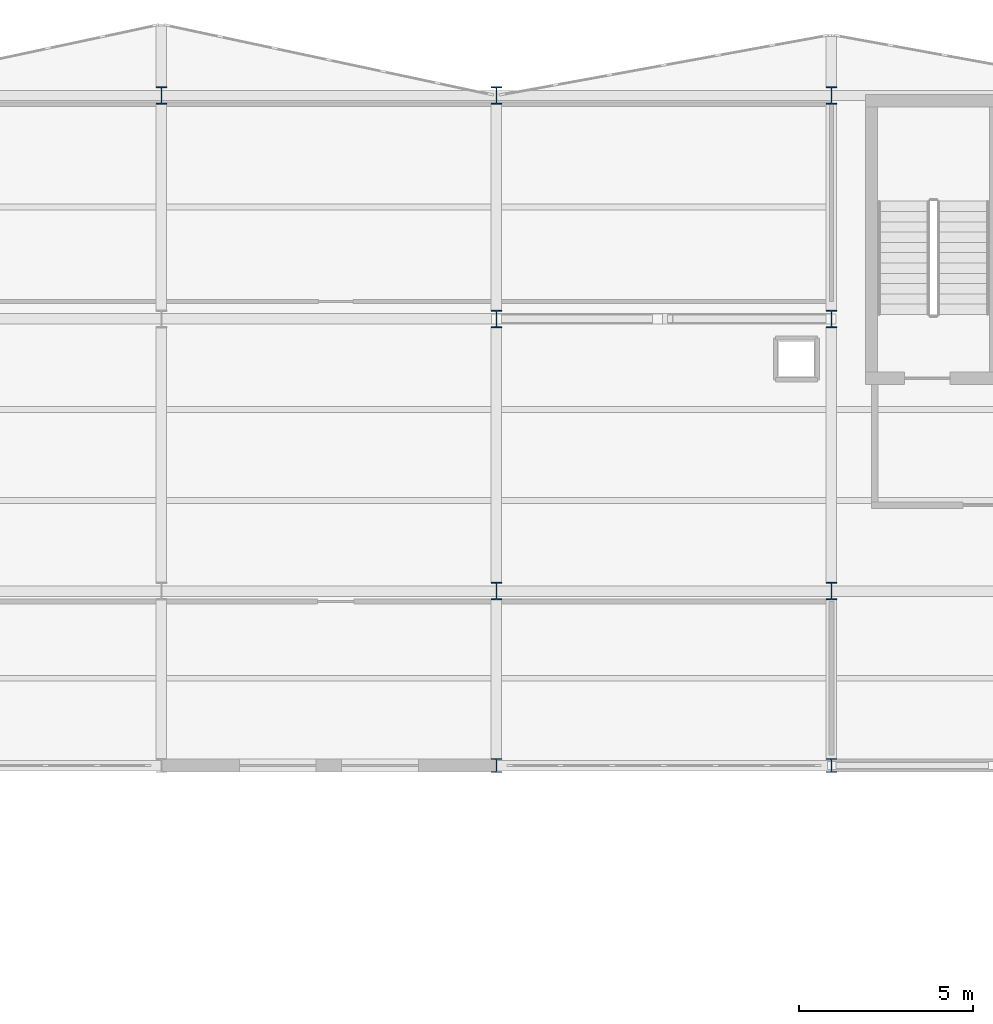
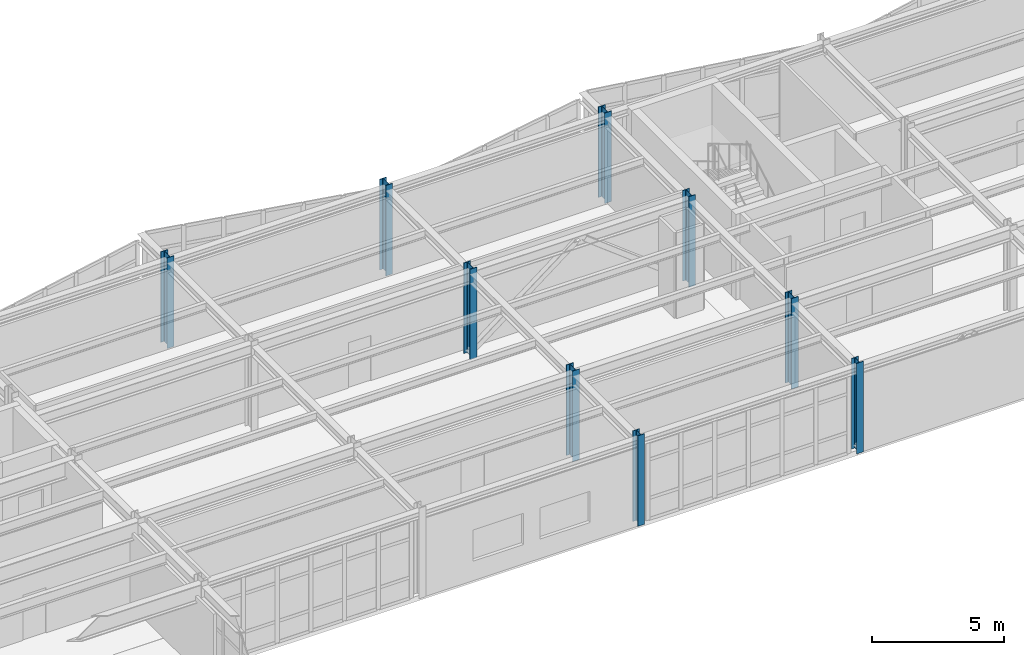
# One storey, part 7 of 88: 9 columns.
"""IFC4 building model written with IfcOpenShell, lengths in metres."""

from ifc_helpers import new_model, si_unit, direction, frame, origin, origin_2d, place, context, subcontext, project, spatial, i_section, extrude, material, material_profile, profile_set, type_object, element, save


model = new_model("IFC4")

# Units and contexts
model_context = context("Model", 3, precision=1e-05, world=origin(), true_north=direction((0.0, 1.0)))
body_context = subcontext(model_context, "Body", "Model", "MODEL_VIEW")
ifc_project = project(units=[si_unit("LENGTHUNIT", "METRE"), si_unit("AREAUNIT", "SQUARE_METRE"), si_unit("VOLUMEUNIT", "CUBIC_METRE"), si_unit("PLANEANGLEUNIT", "RADIAN"), si_unit("MASSUNIT", "GRAM", prefix="KILO")], contexts=[model_context])

# Site, building, storey
site_placement = place(None, origin())
site = spatial("IfcSite", under=ifc_project, at=site_placement, CompositionType="ELEMENT")
building_placement = place(site_placement, origin())
building = spatial("IfcBuilding", under=site, at=building_placement, Name="Nordkorset Police Headquarters", CompositionType="ELEMENT")
storey_placement = place(building_placement, frame((0.0, 0.0, 9.449951171875)))
storey = spatial("IfcBuildingStorey", under=building, at=storey_placement, Name="L02", CompositionType="ELEMENT", Elevation=9.449951171875)

# Columns
ifc_material_1 = material(Name="Steel S355J2", Category="steel")
ifc_material_profile_1 = material_profile(ifc_material_1, i_section(OverallWidth=0.300048828125, OverallDepth=0.39990234375, WebThickness=0.013427734375, FlangeThickness=0.02392578125, FilletRadius=0.027099609375, at=origin_2d()), Name="HEB 400")
ifc_profile_set_1 = profile_set([ifc_material_profile_1], Name="Steel S355J2")
column_type_1 = type_object("IfcColumnType", Name="Col_HEB_400", PredefinedType="COLUMN", material=ifc_profile_set_1)
for number, where, z_axis, x_axis, name in (
    (1, (48.0, 97.60009765625, 0.0), (0.0, 0.0, 1.0), (1.0, 0.0, 0.0), "Structural Column V2_Y0_1 L02"),
    (2, (57.60009765625, 97.60009765625, 0.0), (0.0, 0.0, 1.0), (1.0, 0.0, 0.0), "Structural Column V2_Y0_2 L02"),
):
    element("IfcColumn", number, at=place(storey_placement, frame(where, z_axis=z_axis, x_axis=x_axis)), inside=storey, type_object=column_type_1, Name=name, PredefinedType="COLUMN", context=body_context, shape_type="SweptSolid", body=[
        extrude(i_section(OverallWidth=0.300048828125, OverallDepth=0.39990234375, WebThickness=0.013427734375, FlangeThickness=0.02392578125, FilletRadius=0.027099609375, at=origin_2d()), origin(), (0.0, 0.0, 1.0), 4.199951171875),
    ])
ifc_material_2 = material(Name="Steel S355J2", Category="steel")
ifc_material_profile_2 = material_profile(ifc_material_2, i_section(OverallWidth=0.300048828125, OverallDepth=0.5, WebThickness=0.014404296875, FlangeThickness=0.028076171875, FilletRadius=0.027099609375, at=origin_2d()), Name="HEB 500")
ifc_profile_set_2 = profile_set([ifc_material_profile_2], Name="Steel S355J2")
column_type_2 = type_object("IfcColumnType", Name="Col_HEB_500", PredefinedType="COLUMN", material=ifc_profile_set_2)
for number, where, z_axis, x_axis, name in (
    (3, (38.39990234375, 116.800048828125, 0.0), (0.0, 0.0, 1.0), (1.0, 0.0, 0.0), "Structural Column V2_Y3_0 L02"),
    (4, (48.0, 102.60009765625, 0.0), (0.0, 0.0, 1.0), (1.0, 0.0, 0.0), "Structural Column V2_Y1_1 L02"),
    (5, (48.0, 110.39990234375, 0.0), (0.0, 0.0, 1.0), (1.0, 0.0, 0.0), "Structural Column V2_Y2_1 L02"),
    (6, (48.0, 116.800048828125, 0.0), (0.0, 0.0, 1.0), (1.0, 0.0, 0.0), "Structural Column V2_Y3_1 L02"),
    (7, (57.60009765625, 102.60009765625, 0.0), (0.0, 0.0, 1.0), (1.0, 0.0, 0.0), "Structural Column V2_Y1_2 L02"),
    (8, (57.60009765625, 110.39990234375, 0.0), (0.0, 0.0, 1.0), (1.0, 0.0, 0.0), "Structural Column V2_Y2_2 L02"),
    (9, (57.60009765625, 116.800048828125, 0.0), (0.0, 0.0, 1.0), (1.0, 0.0, 0.0), "Structural Column V2_Y3_2 L02"),
):
    element("IfcColumn", number, at=place(storey_placement, frame(where, z_axis=z_axis, x_axis=x_axis)), inside=storey, type_object=column_type_2, Name=name, PredefinedType="COLUMN", context=body_context, shape_type="SweptSolid", body=[
        extrude(i_section(OverallWidth=0.300048828125, OverallDepth=0.5, WebThickness=0.014404296875, FlangeThickness=0.028076171875, FilletRadius=0.027099609375, at=origin_2d()), origin(), (0.0, 0.0, 1.0), 4.199951171875),
    ])

save(model, "model.ifc")
